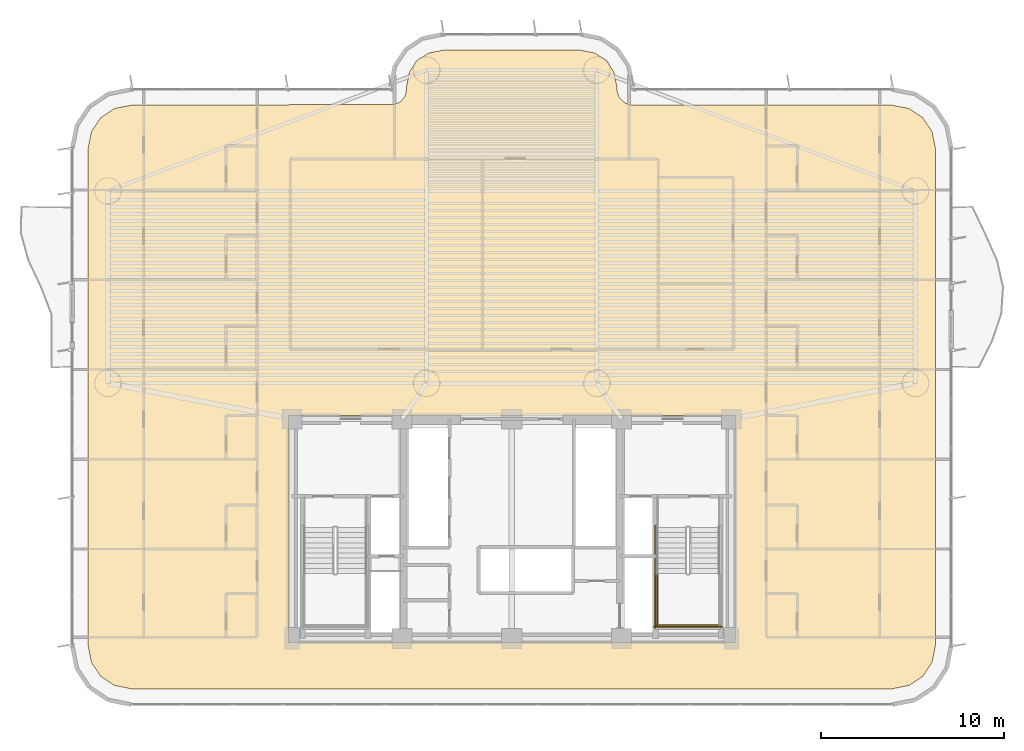
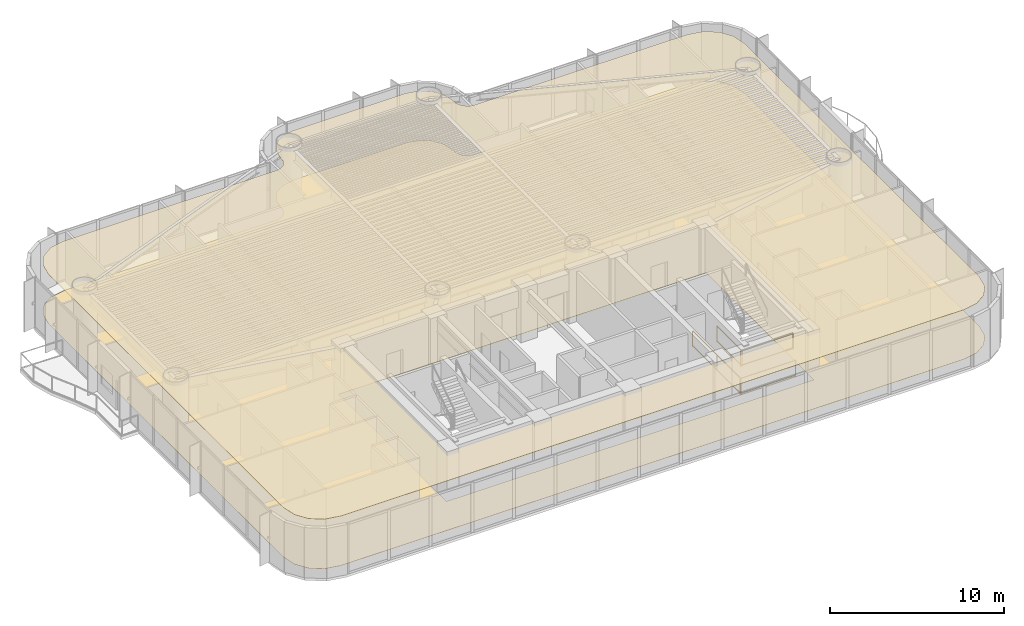
# One storey, part 17 of 19: 4 railings, 2 coverings.
"""IFC4 building model written with IfcOpenShell, lengths in metres."""

from ifc_helpers import new_model, si_unit, direction, frame, origin, origin_2d, place, context, subcontext, project, spatial, polyline, rectangle, outline, extrude, material, layer, layer_set, type_object, element, save


model = new_model("IFC4")

# Units and contexts
model_context = context("Model", 3, precision=1e-05, world=origin(), true_north=direction((0.0, 1.0)))
body_context = subcontext(model_context, "Body", "Model", "MODEL_VIEW")
ifc_project = project(units=[si_unit("LENGTHUNIT", "METRE"), si_unit("AREAUNIT", "SQUARE_METRE"), si_unit("VOLUMEUNIT", "CUBIC_METRE"), si_unit("PLANEANGLEUNIT", "RADIAN"), si_unit("MASSUNIT", "GRAM", prefix="KILO")], contexts=[model_context])

# Site, building, storey
site_placement = place(None, origin())
site = spatial("IfcSite", under=ifc_project, at=site_placement, CompositionType="ELEMENT")
building_placement = place(site_placement, origin())
building = spatial("IfcBuilding", under=site, at=building_placement, Name="Brelvock Crest Care Tower", CompositionType="ELEMENT")
storey_placement = place(building_placement, frame((0.0, 0.0, 64.800048828125)))
storey = spatial("IfcBuildingStorey", under=building, at=storey_placement, Name="L16", CompositionType="ELEMENT", Elevation=64.800048828125)

# Coverings
ifc_material_1 = material(Name="Mineral Fibre Acoustic Ceiling Tile", Category="gypsum")
ifc_layer_1 = layer(ifc_material_1, 0.02490234375, Name="COV-CLG1")
ifc_layer_set_1 = layer_set([ifc_layer_1], Name="Mineral Fibre Acoustic Ceiling Tile")
covering_type_1 = type_object("IfcCoveringType", Name="COV-CLG1", PredefinedType="CEILING", material=ifc_layer_set_1)
covering_1_placement = place(storey_placement, frame((0.0, 0.0, 3.474853515625)))
element("IfcCovering", 1, at=covering_1_placement, inside=storey, type_object=covering_type_1, Name="L16 Acoustic Suspended Ceiling 1", PredefinedType="CEILING", context=body_context, shape_type="SweptSolid", body=[
    extrude(outline(polyline([(56.71630859375, 35.14990234375), (42.5166015625, 35.154052734375), (42.353271484375, 35.1865234375), (42.127685546875, 35.293212890625), (41.893310546875, 35.52783203125), (41.766357421875, 35.834228515625), (41.75, 36.1162109375), (41.586181640625, 36.939697265625), (41.1669921875, 37.567138671875), (40.539794921875, 37.986083984375), (39.71630859375, 38.14990234375), (32.28369140625, 38.14990234375), (31.460205078125, 37.986083984375), (30.8330078125, 37.567138671875), (30.413818359375, 36.939697265625), (30.25, 36.1162109375), (30.233642578125, 35.834228515625), (30.149658203125, 35.599365234375), (30.0009765625, 35.39892578125), (29.872314453125, 35.293212890625), (29.56591796875, 35.166259765625), (15.28369140625, 35.14990234375), (14.30712890625, 34.955810546875), (13.550048828125, 34.449951171875), (13.044189453125, 33.69287109375), (12.85009765625, 32.71630859375), (12.85009765625, 5.68359375), (13.044189453125, 4.70703125), (13.550048828125, 3.9501953125), (14.30712890625, 3.4443359375), (15.28369140625, 3.25), (56.71630859375, 3.25), (57.69287109375, 3.4443359375), (58.449951171875, 3.9501953125), (58.955810546875, 4.70703125), (59.14990234375, 5.68359375), (59.14990234375, 32.71630859375), (58.955810546875, 33.69287109375), (58.449951171875, 34.449951171875), (57.69287109375, 34.955810546875), (56.71630859375, 35.14990234375)]), holes=[polyline([(48.199951171875, 5.800048828125), (48.199951171875, 18.199951171875), (23.800048828125, 18.199951171875), (23.800048828125, 5.800048828125), (48.199951171875, 5.800048828125)])]), origin(), (0.0, 0.0, 1.0), 0.025146484375),
])
ifc_material_2 = material(Name="Slip-Resistant Acoustic Vinyl Flooring", Category="finish")
ifc_layer_2 = layer(ifc_material_2, 0.014892578125, Name="COV-FLR1")
ifc_layer_set_2 = layer_set([ifc_layer_2], Name="Slip-Resistant Acoustic Vinyl Flooring")
covering_type_2 = type_object("IfcCoveringType", Name="COV-FLR1", PredefinedType="FLOORING", material=ifc_layer_set_2)
covering_2_placement = place(storey_placement, origin())
element("IfcCovering", 2, at=covering_2_placement, inside=storey, type_object=covering_type_2, Name="L16 Slip-Resistant Acoustic Flooring 1", PredefinedType="FLOORING", context=body_context, shape_type="SweptSolid", body=[
    extrude(outline(polyline([(56.71630859375, 35.14990234375), (42.5166015625, 35.154052734375), (42.353271484375, 35.1865234375), (42.127685546875, 35.293212890625), (41.893310546875, 35.52783203125), (41.766357421875, 35.834228515625), (41.75, 36.1162109375), (41.586181640625, 36.939697265625), (41.1669921875, 37.567138671875), (40.539794921875, 37.986083984375), (39.71630859375, 38.14990234375), (32.28369140625, 38.14990234375), (31.460205078125, 37.986083984375), (30.8330078125, 37.567138671875), (30.413818359375, 36.939697265625), (30.25, 36.1162109375), (30.233642578125, 35.834228515625), (30.149658203125, 35.599365234375), (30.0009765625, 35.39892578125), (29.872314453125, 35.293212890625), (29.56591796875, 35.166259765625), (15.28369140625, 35.14990234375), (14.30712890625, 34.955810546875), (13.550048828125, 34.449951171875), (13.044189453125, 33.69287109375), (12.85009765625, 32.71630859375), (12.85009765625, 5.68359375), (13.044189453125, 4.70703125), (13.550048828125, 3.9501953125), (14.30712890625, 3.4443359375), (15.28369140625, 3.25), (56.71630859375, 3.25), (57.69287109375, 3.4443359375), (58.449951171875, 3.9501953125), (58.955810546875, 4.70703125), (59.14990234375, 5.68359375), (59.14990234375, 32.71630859375), (58.955810546875, 33.69287109375), (58.449951171875, 34.449951171875), (57.69287109375, 34.955810546875), (56.71630859375, 35.14990234375)]), holes=[polyline([(48.199951171875, 5.800048828125), (48.199951171875, 18.199951171875), (23.800048828125, 18.199951171875), (23.800048828125, 5.800048828125), (48.199951171875, 5.800048828125)])]), origin(), (0.0, 0.0, 1.0), 0.014892578125),
])

# Railings
ifc_material_3 = material(Name="Steel Grade 350", Category="steel")
ifc_layer_3 = layer(ifc_material_3, 0.050048828125, Name="RL-STG1")
ifc_layer_set_3 = layer_set([ifc_layer_3], Name="Steel Grade 350")
railing_type = type_object("IfcRailingType", Name="RL-STG1", PredefinedType="GUARDRAIL", material=ifc_layer_set_3)
railing_1_placement = place(storey_placement, frame((43.93994140625, 9.56005859375, 1.889892578125)))
element("IfcRailing", 3, at=railing_1_placement, inside=storey, type_object=railing_type, Name="L16 ST-2 stair guard 3", PredefinedType="GUARDRAIL", context=body_context, shape_type="SweptSolid", body=[
    extrude(rectangle(XDim=0.048095703125, YDim=0.048095703125, at=origin_2d()), frame((0.0, -0.001953125, 1.11572265625), z_axis=(0.0, -1.0, 0.0), x_axis=(1.0, 0.0, 0.0)), (0.0, 0.0, 1.0), 2.856201171875),
    extrude(rectangle(XDim=0.048095703125, YDim=0.048095703125, at=origin_2d()), frame((0.0, -0.001953125, 0.054931640625), z_axis=(0.0, -1.0, 0.0), x_axis=(1.0, 0.0, 0.0)), (0.0, 0.0, 1.0), 2.856201171875),
    extrude(rectangle(XDim=0.0419921875, YDim=0.0419921875, at=origin_2d()), origin(), (0.0, 0.0, 1.0), 1.08984375),
    extrude(rectangle(XDim=0.0419921875, YDim=0.0419921875, at=origin_2d()), frame((0.0, -2.860107421875, 0.0)), (0.0, 0.0, 1.0), 1.08984375),
])
railing_2_placement = place(storey_placement, frame((43.889892578125, 6.75, 1.889892578125)))
element("IfcRailing", 4, at=railing_2_placement, inside=storey, type_object=railing_type, Name="L16 ST-2 stair guard 5", PredefinedType="GUARDRAIL", context=body_context, shape_type="SweptSolid", body=[
    extrude(rectangle(XDim=0.048095703125, YDim=0.048095703125, at=origin_2d()), frame((0.001953125, 0.0, 1.11572265625), z_axis=(1.0, 0.0, 0.0), x_axis=(0.0, 1.0, 0.0)), (0.0, 0.0, 1.0), 3.476318359375),
    extrude(rectangle(XDim=0.048095703125, YDim=0.048095703125, at=origin_2d()), frame((0.001953125, 0.0, 0.054931640625), z_axis=(1.0, 0.0, 0.0), x_axis=(0.0, 1.0, 0.0)), (0.0, 0.0, 1.0), 3.476318359375),
    extrude(rectangle(XDim=0.0419921875, YDim=0.0419921875, at=origin_2d()), origin(), (0.0, 0.0, 1.0), 1.08984375),
    extrude(rectangle(XDim=0.0419921875, YDim=0.0419921875, at=origin_2d()), frame((3.480224609375, 0.0, 0.0)), (0.0, 0.0, 1.0), 1.08984375),
])
railing_3_placement = place(storey_placement, frame((43.840087890625, 12.179931640625, 0.0)))
element("IfcRailing", 5, at=railing_3_placement, inside=storey, type_object=railing_type, Name="L16 ST-2 stair guard 10", PredefinedType="GUARDRAIL", context=body_context, shape_type="SweptSolid", body=[
    extrude(rectangle(XDim=0.048095703125, YDim=0.048095703125, at=origin_2d()), frame((0.0, -0.001953125, 1.11572265625), z_axis=(0.0, -1.0, 0.0), x_axis=(1.0, 0.0, 0.0)), (0.0, 0.0, 1.0), 5.575927734375),
    extrude(rectangle(XDim=0.048095703125, YDim=0.048095703125, at=origin_2d()), frame((0.0, -0.001953125, 0.054931640625), z_axis=(0.0, -1.0, 0.0), x_axis=(1.0, 0.0, 0.0)), (0.0, 0.0, 1.0), 5.575927734375),
    extrude(rectangle(XDim=0.0419921875, YDim=0.0419921875, at=origin_2d()), origin(), (0.0, 0.0, 1.0), 1.08984375),
    extrude(rectangle(XDim=0.0419921875, YDim=0.0419921875, at=origin_2d()), frame((0.0, -2.7900390625, 0.0)), (0.0, 0.0, 1.0), 1.08984375),
    extrude(rectangle(XDim=0.0419921875, YDim=0.0419921875, at=origin_2d()), frame((0.0, -5.579833984375, 0.0)), (0.0, 0.0, 1.0), 1.08984375),
])
railing_4_placement = place(storey_placement, frame((43.7900390625, 6.64990234375, 0.0)))
element("IfcRailing", 6, at=railing_4_placement, inside=storey, type_object=railing_type, Name="L16 ST-2 stair guard 12", PredefinedType="GUARDRAIL", context=body_context, shape_type="SweptSolid", body=[
    extrude(rectangle(XDim=0.048095703125, YDim=0.048095703125, at=origin_2d()), frame((0.001953125, 0.0, 1.11572265625), z_axis=(1.0, 0.0, 0.0), x_axis=(0.0, 1.0, 0.0)), (0.0, 0.0, 1.0), 3.676025390625),
    extrude(rectangle(XDim=0.048095703125, YDim=0.048095703125, at=origin_2d()), frame((0.001953125, 0.0, 0.054931640625), z_axis=(1.0, 0.0, 0.0), x_axis=(0.0, 1.0, 0.0)), (0.0, 0.0, 1.0), 3.676025390625),
    extrude(rectangle(XDim=0.0419921875, YDim=0.0419921875, at=origin_2d()), origin(), (0.0, 0.0, 1.0), 1.08984375),
    extrude(rectangle(XDim=0.0419921875, YDim=0.0419921875, at=origin_2d()), frame((3.679931640625, 0.0, 0.0)), (0.0, 0.0, 1.0), 1.08984375),
])

save(model, "model.ifc")
